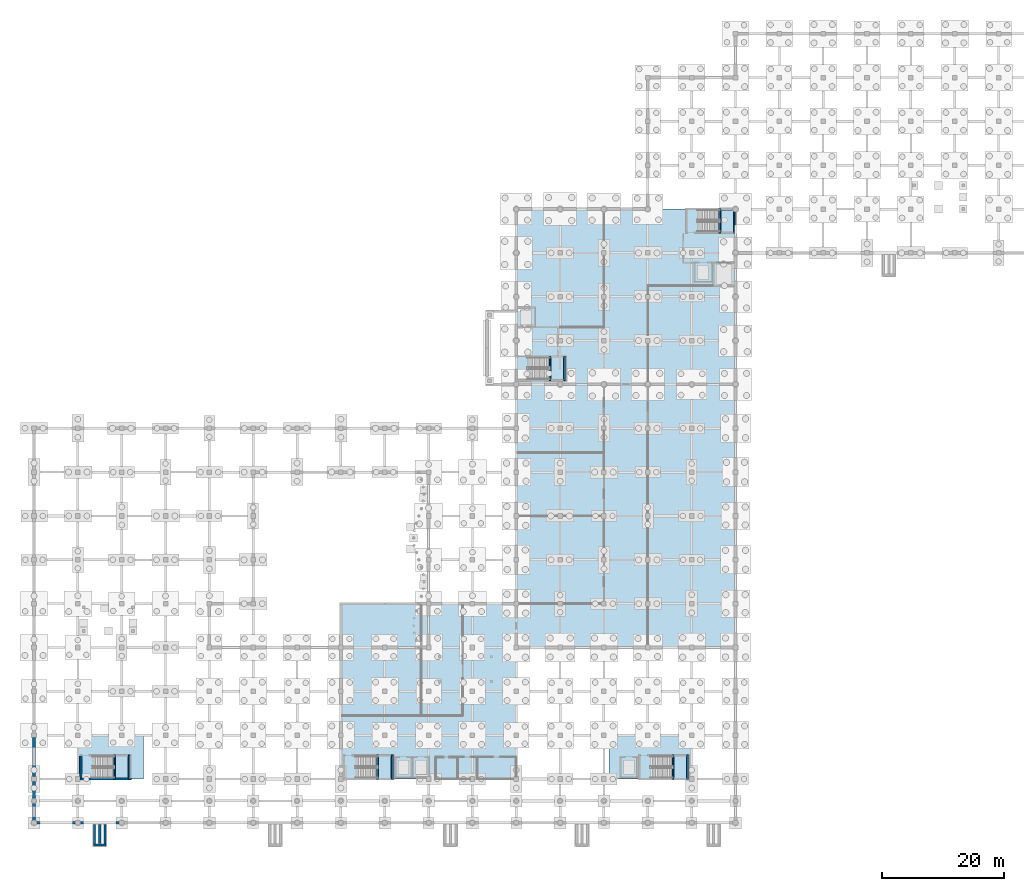
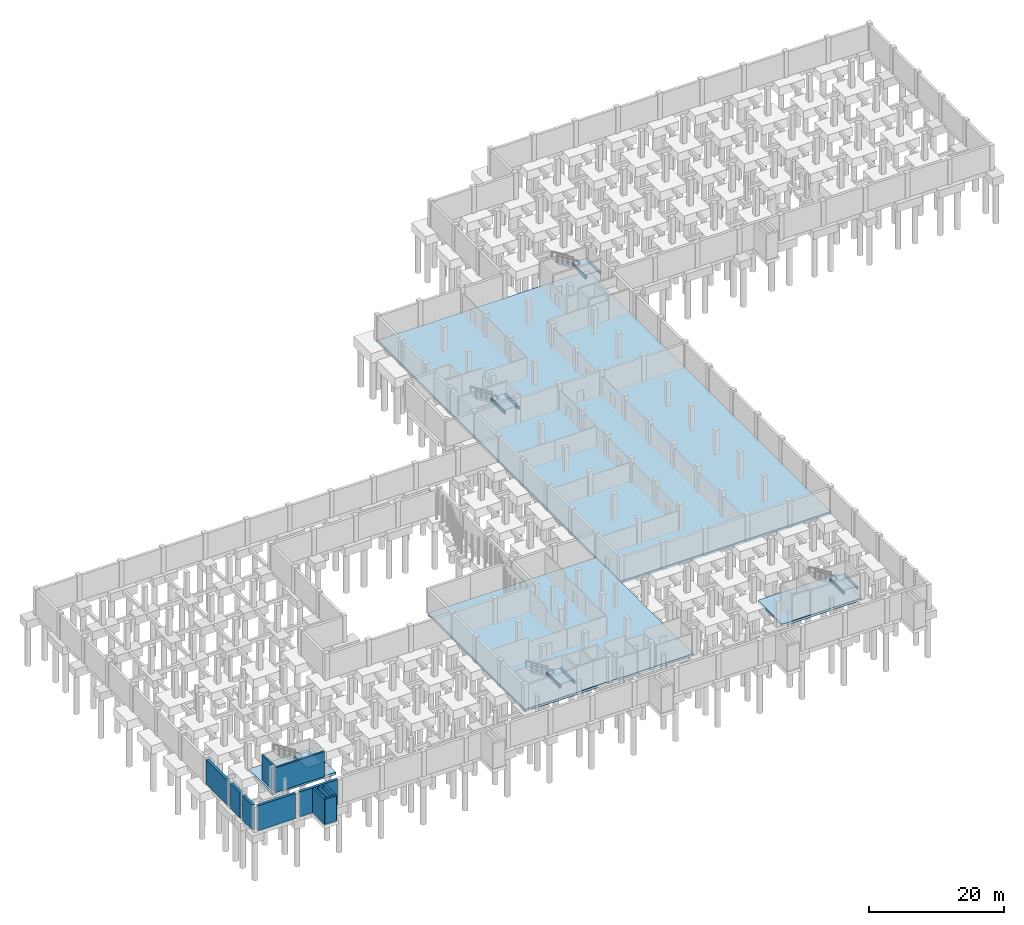
# One storey, part 23 of 35: 11 walls, 10 beams, 9 slabs, 5 elements without a shape of their own.
"""IFC4 building model written with IfcOpenShell, lengths in metres."""

from ifc_helpers import new_model, si_unit, direction, frame, frame_2d, origin, origin_2d, place, context, subcontext, project, spatial, polyline, rectangle, outline, extrude, material, layer, layer_set, material_profile, profile_set, type_object, element, aggregate, save


model = new_model("IFC4")

# Units and contexts
model_context = context("Model", 3, precision=1e-05, world=origin(), true_north=direction((0.0, 1.0)))
body_context = subcontext(model_context, "Body", "Model", "MODEL_VIEW")
ifc_project = project(units=[si_unit("LENGTHUNIT", "METRE"), si_unit("AREAUNIT", "SQUARE_METRE"), si_unit("VOLUMEUNIT", "CUBIC_METRE"), si_unit("PLANEANGLEUNIT", "RADIAN"), si_unit("MASSUNIT", "GRAM", prefix="KILO"), si_unit("THERMODYNAMICTEMPERATUREUNIT", "KELVIN"), si_unit("POWERUNIT", "WATT")], contexts=[model_context])

# Site, building, storey
site_placement = place(None, origin())
site = spatial("IfcSite", under=ifc_project, at=site_placement, CompositionType="ELEMENT")
building_placement = place(site_placement, origin())
building = spatial("IfcBuilding", under=site, at=building_placement, Name="Kaldorven Railside Theatre", CompositionType="ELEMENT")
storey_placement = place(building_placement, frame((0.0, 0.0, -4.800048828125)))
storey = spatial("IfcBuildingStorey", under=building, at=storey_placement, Name="B1", CompositionType="ELEMENT", Elevation=-4.800048828125)

# Beams
ifc_material_1 = material(Name="Concrete C40/50", Category="concrete")
ifc_material_profile = material_profile(ifc_material_1, rectangle(XDim=0.25, YDim=0.39990234375, at=origin_2d()), Name="RC 250x400")
ifc_profile_set = profile_set([ifc_material_profile], Name="Concrete C40/50")
beam_type = type_object("IfcBeamType", Name="BM-RC250x400", PredefinedType="LINTEL", material=ifc_profile_set)
for number, where, z_axis, x_axis, name in (
    (1, (21.215087890625, 19.139892578125, 2.0), (0.0, 1.0, 0.0), (-1.0, 0.0, 0.0), "Stair ST-01 B1 Half-Landing Bearer"),
    (2, (23.6298828125, 19.139892578125, 2.0), (0.0, 1.0, 0.0), (-1.0, 0.0, 0.0), "Stair ST-01 B1 Half-Landing Bearer"),
    (3, (64.4150390625, 19.139892578125, 2.0), (0.0, 1.0, 0.0), (-1.0, 0.0, 0.0), "Stair ST-03 B1 Half-Landing Bearer"),
    (4, (66.830078125, 19.139892578125, 2.0), (0.0, 1.0, 0.0), (-1.0, 0.0, 0.0), "Stair ST-03 B1 Half-Landing Bearer"),
    (5, (112.9150390625, 19.139892578125, 2.0), (0.0, 1.0, 0.0), (-1.0, 0.0, 0.0), "Stair ST-04 B1 Half-Landing Bearer"),
    (6, (115.330078125, 19.139892578125, 2.0), (0.0, 1.0, 0.0), (-1.0, 0.0, 0.0), "Stair ST-04 B1 Half-Landing Bearer"),
    (7, (92.715087890625, 84.639892578125, 2.0), (0.0, 1.0, 0.0), (-1.0, 0.0, 0.0), "Stair ST-05 B1 Half-Landing Bearer"),
    (8, (95.1298828125, 84.639892578125, 2.0), (0.0, 1.0, 0.0), (-1.0, 0.0, 0.0), "Stair ST-05 B1 Half-Landing Bearer"),
    (9, (120.614990234375, 108.840087890625, 2.0), (0.0, 1.0, 0.0), (-1.0, 0.0, 0.0), "Stair ST-06 B1 Half-Landing Bearer"),
    (10, (123.030029296875, 108.840087890625, 2.0), (0.0, 1.0, 0.0), (-1.0, 0.0, 0.0), "Stair ST-06 B1 Half-Landing Bearer"),
):
    element("IfcBeam", number, at=place(storey_placement, frame(where, z_axis=z_axis, x_axis=x_axis)), inside=storey, type_object=beam_type, Name=name, PredefinedType="LINTEL", context=body_context, shape_type="SweptSolid", body=[
        extrude(rectangle(XDim=0.25, YDim=0.39990234375, at=origin_2d()), origin(), (0.0, 0.0, 1.0), 4.02001953125),
    ])

# Slabs
ifc_material_2 = material(Name="Concrete C35/45", Category="concrete")
ifc_layer_1 = layer(ifc_material_2, 0.449951171875, Name="Concrete C35/45")
ifc_layer_set_1 = layer_set([ifc_layer_1], Name="Concrete C35/45")
slab_type_1 = type_object("IfcSlabType", Name="SLB-BSL-450", PredefinedType="BASESLAB", material=ifc_layer_set_1)
slab_1_placement = place(storey_placement, frame((0.0, 0.0, -0.449951171875)))
element("IfcSlab", 11, at=slab_1_placement, inside=storey, type_object=slab_type_1, Name="B1 Baseslab Slab SL-B1-V5", PredefinedType="BASESLAB", context=body_context, shape_type="SweptSolid", body=[
    extrude(outline(polyline([(58.39990234375, 19.199951171875), (87.199951171875, 19.199951171875), (87.199951171875, 48.0), (58.39990234375, 48.0), (58.39990234375, 19.199951171875)])), origin(), (0.0, 0.0, 1.0), 0.449951171875),
])
slab_2_placement = place(storey_placement, frame((0.0, 0.0, -0.449951171875)))
element("IfcSlab", 12, at=slab_2_placement, inside=storey, type_object=slab_type_1, Name="B1 Baseslab Slab SL-B1-CSW", PredefinedType="BASESLAB", context=body_context, shape_type="SweptSolid", body=[
    extrude(outline(polyline([(15.199951171875, 19.199951171875), (26.0, 19.199951171875), (26.0, 26.39990234375), (15.199951171875, 26.39990234375), (15.199951171875, 19.199951171875)])), origin(), (0.0, 0.0, 1.0), 0.449951171875),
])
slab_3_placement = place(storey_placement, frame((0.0, 0.0, -0.449951171875)))
element("IfcSlab", 13, at=slab_3_placement, inside=storey, type_object=slab_type_1, Name="B1 Baseslab Slab SL-B1-CSE", PredefinedType="BASESLAB", context=body_context, shape_type="SweptSolid", body=[
    extrude(outline(polyline([(102.39990234375, 19.199951171875), (116.0, 19.199951171875), (116.0, 26.39990234375), (102.39990234375, 26.39990234375), (102.39990234375, 19.199951171875)])), origin(), (0.0, 0.0, 1.0), 0.449951171875),
])
ifc_layer_2 = layer(ifc_material_2, 0.5, Name="Concrete C35/45")
ifc_layer_set_2 = layer_set([ifc_layer_2], Name="Concrete C35/45")
slab_type_2 = type_object("IfcSlabType", Name="SLB-BSL-500", PredefinedType="BASESLAB", material=ifc_layer_set_2)
slab_4_placement = place(storey_placement, frame((0.0, 0.0, -0.5)))
element("IfcSlab", 14, at=slab_4_placement, inside=storey, type_object=slab_type_2, Name="B1 Baseslab Slab SL-B1-V12", PredefinedType="BASESLAB", context=body_context, shape_type="SweptSolid", body=[
    extrude(outline(polyline([(87.199951171875, 40.800048828125), (123.199951171875, 40.800048828125), (123.199951171875, 112.800048828125), (87.199951171875, 112.800048828125), (87.199951171875, 40.800048828125)])), origin(), (0.0, 0.0, 1.0), 0.5),
])

# Stair, slab
stair_type = type_object("IfcStairType", Name="STR-DL-01", PredefinedType="HALF_TURN_STAIR", material=ifc_material_2)
stair_1_placement = place(storey_placement, origin())
stair_1 = element("IfcStair", 15, at=stair_1_placement, inside=storey, type_object=stair_type, Name="B1 Core C-SW Escape Stair ST-01", PredefinedType="HALF_TURN_STAIR")
ifc_layer_3 = layer(ifc_material_2, 0.199951171875, Name="Concrete C35/45")
ifc_layer_set_3 = layer_set([ifc_layer_3], Name="Concrete C35/45")
slab_type_3 = type_object("IfcSlabType", Name="SLB-LSL-200", PredefinedType="LANDING", material=ifc_layer_set_3)
slab_5_placement = place(storey_placement, frame((0.0, 0.0, 2.199951171875)))
slab_5 = element("IfcSlab", 16, at=slab_5_placement, type_object=slab_type_3, Name="ST-01 landing 1", PredefinedType="LANDING", context=body_context, shape_type="SweptSolid", body=[
    extrude(outline(polyline([(21.1650390625, 19.320068359375), (23.679931640625, 19.320068359375), (23.679931640625, 22.97998046875), (21.1650390625, 22.97998046875), (21.1650390625, 19.320068359375)])), origin(), (0.0, 0.0, 1.0), 0.2001953125),
])
aggregate(stair_1, [slab_5])

stair_2_placement = place(storey_placement, origin())
stair_2 = element("IfcStair", 17, at=stair_2_placement, inside=storey, type_object=stair_type, Name="B1 Core C-FS Escape Stair ST-03", PredefinedType="HALF_TURN_STAIR")
slab_6_placement = place(storey_placement, frame((0.0, 0.0, 2.199951171875)))
slab_6 = element("IfcSlab", 18, at=slab_6_placement, type_object=slab_type_3, Name="ST-03 landing 1", PredefinedType="LANDING", context=body_context, shape_type="SweptSolid", body=[
    extrude(outline(polyline([(64.364990234375, 19.320068359375), (66.8798828125, 19.320068359375), (66.8798828125, 22.97998046875), (64.364990234375, 22.97998046875), (64.364990234375, 19.320068359375)])), origin(), (0.0, 0.0, 1.0), 0.2001953125),
])
aggregate(stair_2, [slab_6])

stair_3_placement = place(storey_placement, origin())
stair_3 = element("IfcStair", 19, at=stair_3_placement, inside=storey, type_object=stair_type, Name="B1 Core C-SE Escape Stair ST-04", PredefinedType="HALF_TURN_STAIR")
slab_7_placement = place(storey_placement, frame((0.0, 0.0, 2.199951171875)))
slab_7 = element("IfcSlab", 20, at=slab_7_placement, type_object=slab_type_3, Name="ST-04 landing 1", PredefinedType="LANDING", context=body_context, shape_type="SweptSolid", body=[
    extrude(outline(polyline([(112.864990234375, 19.320068359375), (115.3798828125, 19.320068359375), (115.3798828125, 22.97998046875), (112.864990234375, 22.97998046875), (112.864990234375, 19.320068359375)])), origin(), (0.0, 0.0, 1.0), 0.2001953125),
])
aggregate(stair_3, [slab_7])

stair_4_placement = place(storey_placement, origin())
stair_4 = element("IfcStair", 21, at=stair_4_placement, inside=storey, type_object=stair_type, Name="B1 Core C-STW Escape Stair ST-05", PredefinedType="HALF_TURN_STAIR")
slab_8_placement = place(storey_placement, frame((0.0, 0.0, 2.199951171875)))
slab_8 = element("IfcSlab", 22, at=slab_8_placement, type_object=slab_type_3, Name="ST-05 landing 1", PredefinedType="LANDING", context=body_context, shape_type="SweptSolid", body=[
    extrude(outline(polyline([(92.6650390625, 84.820068359375), (95.179931640625, 84.820068359375), (95.179931640625, 88.47998046875), (92.6650390625, 88.47998046875), (92.6650390625, 84.820068359375)])), origin(), (0.0, 0.0, 1.0), 0.2001953125),
])
aggregate(stair_4, [slab_8])

stair_5_placement = place(storey_placement, origin())
stair_5 = element("IfcStair", 23, at=stair_5_placement, inside=storey, type_object=stair_type, Name="B1 Core C-STE Escape Stair ST-06", PredefinedType="HALF_TURN_STAIR")
slab_9_placement = place(storey_placement, frame((0.0, 0.0, 2.199951171875)))
slab_9 = element("IfcSlab", 24, at=slab_9_placement, type_object=slab_type_3, Name="ST-06 landing 1", PredefinedType="LANDING", context=body_context, shape_type="SweptSolid", body=[
    extrude(outline(polyline([(120.56494140625, 109.02001953125), (123.080078125, 109.02001953125), (123.080078125, 112.679931640625), (120.56494140625, 112.679931640625), (120.56494140625, 109.02001953125)])), origin(), (0.0, 0.0, 1.0), 0.2001953125),
])
aggregate(stair_5, [slab_9])

# Walls
ifc_layer_4 = layer(ifc_material_1, 0.449951171875, Name="Concrete C40/50")
ifc_layer_set_4 = layer_set([ifc_layer_4], Name="Concrete C40/50")
wall_type_1 = type_object("IfcWallType", Name="WL-EW01", PredefinedType="SHEAR", material=ifc_layer_set_4)
wall_1_placement = place(storey_placement, frame((8.0, 19.574951171875, 0.0), z_axis=(0.0, 0.0, 1.0), x_axis=(0.0, 1.0, 0.0)))
element("IfcWall", 25, at=wall_1_placement, inside=storey, type_object=wall_type_1, Name="Basement Plinth Retaining Wall EW-0001", PredefinedType="SHEAR", context=body_context, shape_type="SweptSolid", body=[
    extrude(rectangle(XDim=6.449951171875, YDim=0.449951171875, at=frame_2d((3.22509765625, 0.0))), origin(), (0.0, 0.0, 1.0), 4.5),
])
for number, where, z_axis, x_axis, name in (
    (26, (22.02490234375, 12.0, 0.0), (0.0, 0.0, 1.0), (-1.0, 0.0, 0.0), "Basement Plinth Retaining Wall EW-0089"),
    (27, (14.824951171875, 12.0, 0.0), (0.0, 0.0, 1.0), (-1.0, 0.0, 0.0), "Basement Plinth Retaining Wall EW-0090"),
):
    element("IfcWall", number, at=place(storey_placement, frame(where, z_axis=z_axis, x_axis=x_axis)), inside=storey, type_object=wall_type_1, Name=name, PredefinedType="SHEAR", context=body_context, shape_type="SweptSolid", body=[
        extrude(rectangle(XDim=6.449951171875, YDim=0.449951171875, at=frame_2d((3.22509765625, 0.0))), origin(), (0.0, 0.0, 1.0), 4.550048828125),
    ])
for number, where, z_axis, x_axis, name in (
    (28, (8.0, 12.375, 0.0), (0.0, 0.0, 1.0), (0.0, 1.0, 0.0), "Basement Plinth Retaining Wall EW-0091"),
    (29, (8.0, 15.949951171875, 0.0), (0.0, 0.0, 1.0), (0.0, 1.0, 0.0), "Basement Plinth Retaining Wall EW-0092"),
):
    element("IfcWall", number, at=place(storey_placement, frame(where, z_axis=z_axis, x_axis=x_axis)), inside=storey, type_object=wall_type_1, Name=name, PredefinedType="SHEAR", context=body_context, shape_type="SweptSolid", body=[
        extrude(rectangle(XDim=2.875, YDim=0.449951171875, at=frame_2d((1.4375, 0.0))), origin(), (0.0, 0.0, 1.0), 4.550048828125),
    ])
ifc_material_3 = material(Name="Precast concrete C40/50", Category="concrete")
ifc_layer_5 = layer(ifc_material_3, 0.35009765625, Name="Precast concrete C40/50")
ifc_layer_set_5 = layer_set([ifc_layer_5], Name="Precast concrete C40/50")
wall_type_2 = type_object("IfcWallType", Name="WL-EW03", PredefinedType="SOLIDWALL", material=ifc_layer_set_5)
for number, where, z_axis, x_axis, name in (
    (30, (17.919921875, 8.260009765625, 0.0), (0.0, 0.0, 1.0), (0.0, 1.0, 0.0), "Arrival Ramp RMP-01 Plinth Cheek Wall"),
    (31, (19.679931640625, 8.260009765625, 0.0), (0.0, 0.0, 1.0), (0.0, 1.0, 0.0), "Arrival Ramp RMP-01 Plinth Cheek Wall"),
):
    element("IfcWall", number, at=place(storey_placement, frame(where, z_axis=z_axis, x_axis=x_axis)), inside=storey, type_object=wall_type_2, Name=name, PredefinedType="SOLIDWALL", context=body_context, shape_type="SweptSolid", body=[
        extrude(rectangle(XDim=3.510009765625, YDim=0.35009765625, at=frame_2d((1.7548828125, 0.0))), origin(), (0.0, 0.0, 1.0), 4.550048828125),
    ])
wall_2_placement = place(storey_placement, frame((17.800048828125, 8.385009765625, 0.0), z_axis=(0.0, 0.0, 1.0), x_axis=(1.0, 0.0, 0.0)))
element("IfcWall", 32, at=wall_2_placement, inside=storey, type_object=wall_type_2, Name="Arrival Ramp RMP-01 Plinth Cheek Wall", PredefinedType="SOLIDWALL", context=body_context, shape_type="SweptSolid", body=[
    extrude(rectangle(XDim=2.0, YDim=0.35009765625, at=frame_2d((1.0, 0.0))), origin(), (0.0, 0.0, 1.0), 4.550048828125),
])
wall_3_placement = place(storey_placement, frame((18.800048828125, 8.580078125, 0.0), z_axis=(0.0, 0.0, 1.0), x_axis=(0.0, 1.0, 0.0)))
element("IfcWall", 33, at=wall_3_placement, inside=storey, type_object=wall_type_2, Name="Arrival Ramp RMP-01 Plinth Cheek Wall", PredefinedType="SOLIDWALL", context=body_context, shape_type="SweptSolid", body=[
    extrude(rectangle(XDim=3.18994140625, YDim=0.35009765625, at=frame_2d((1.594970703125, 0.0))), origin(), (0.0, 0.0, 1.0), 4.340087890625),
])
ifc_layer_6 = layer(ifc_material_1, 0.300048828125, Name="Concrete C40/50")
ifc_layer_set_6 = layer_set([ifc_layer_6], Name="Concrete C40/50")
wall_type_3 = type_object("IfcWallType", Name="WL-IW-CORE", PredefinedType="SHEAR", material=ifc_layer_set_6)
wall_4_placement = place(storey_placement, frame((23.949951171875, 19.199951171875, 0.0), z_axis=(0.0, 0.0, 1.0), x_axis=(-1.0, 0.0, 0.0)))
element("IfcWall", 34, at=wall_4_placement, inside=storey, type_object=wall_type_3, Name="B1 Core Wall CW-0001", PredefinedType="SHEAR", context=body_context, shape_type="SweptSolid", body=[
    extrude(rectangle(XDim=8.375, YDim=0.300048828125, at=frame_2d((4.1875, 0.0))), origin(), (0.0, 0.0, 1.0), 4.5),
])
wall_5_placement = place(storey_placement, frame((15.699951171875, 19.35205078125, 0.0), z_axis=(0.0, 0.0, 1.0), x_axis=(0.0, 1.0, 0.0)))
element("IfcWall", 35, at=wall_5_placement, inside=storey, type_object=wall_type_3, Name="B1 Core Wall CW-0002", PredefinedType="SHEAR", context=body_context, shape_type="SweptSolid", body=[
    extrude(rectangle(XDim=3.597900390625, YDim=0.300048828125, at=frame_2d((1.798828125, 0.0))), origin(), (0.0, 0.0, 1.0), 4.5),
])

save(model, "model.ifc")
